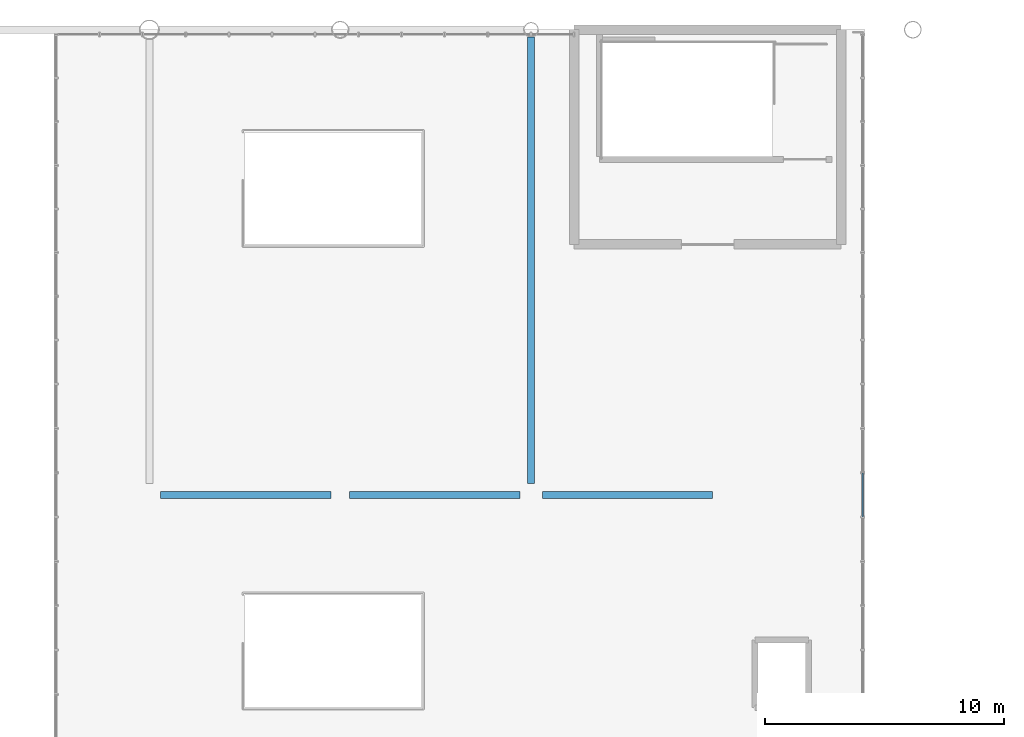
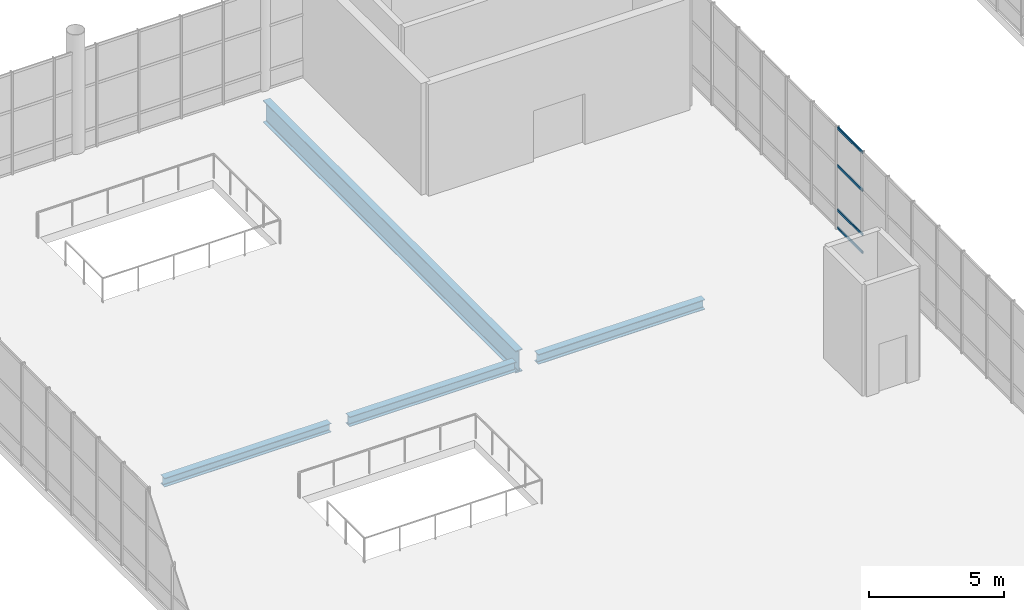
# One storey, part 106 of 176: 4 beams, 4 members, 1 element without a shape of its own.
"""IFC4 building model written with IfcOpenShell, lengths in metres."""

from ifc_helpers import new_model, si_unit, direction, frame, origin, origin_2d, place, context, subcontext, project, spatial, hollow_rectangle, i_section, extrude, material, layer, layer_set, material_profile, profile_set, type_object, element, aggregate, save


model = new_model("IFC4")

# Units and contexts
model_context = context("Model", 3, precision=1e-05, world=origin(), true_north=direction((0.0, 1.0)))
body_context = subcontext(model_context, "Body", "Model", "MODEL_VIEW")
ifc_project = project(units=[si_unit("LENGTHUNIT", "METRE"), si_unit("AREAUNIT", "SQUARE_METRE"), si_unit("VOLUMEUNIT", "CUBIC_METRE"), si_unit("PLANEANGLEUNIT", "RADIAN"), si_unit("MASSUNIT", "GRAM", prefix="KILO")], contexts=[model_context])

# Site, building, storey
site_placement = place(None, origin())
site = spatial("IfcSite", under=ifc_project, at=site_placement, CompositionType="ELEMENT")
building_placement = place(site_placement, origin())
building = spatial("IfcBuilding", under=site, at=building_placement, Name="Khorjan Park Terminus", CompositionType="ELEMENT")
storey_placement = place(building_placement, frame((0.0, 0.0, 6.0)))
storey = spatial("IfcBuildingStorey", under=building, at=storey_placement, Name="L01", CompositionType="ELEMENT", Elevation=6.0)

# Beams
ifc_material_1 = material(Name="Steel S355", Category="steel")
ifc_material_profile_1 = material_profile(ifc_material_1, i_section(OverallWidth=0.3, OverallDepth=0.44, WebThickness=0.0115, FlangeThickness=0.021, FilletRadius=0.027, at=origin_2d()), Name="HEA 450")
ifc_profile_set_1 = profile_set([ifc_material_profile_1], Name="Steel S355")
beam_type_1 = type_object("IfcBeamType", Name="BM-HEA450", PredefinedType="BEAM", material=ifc_profile_set_1)
beam_1_placement = place(storey_placement, frame((64.395, 134.5, -0.58), z_axis=(1.0, 0.0, 0.0), x_axis=(0.0, 1.0, 0.0)))
element("IfcBeam", 1, at=beam_1_placement, inside=storey, type_object=beam_type_1, Name="Primary floor girder SB-A45 (L01)", PredefinedType="BEAM", context=body_context, shape_type="SweptSolid", body=[
    extrude(i_section(OverallWidth=0.3, OverallDepth=0.44, WebThickness=0.0115, FlangeThickness=0.021, FilletRadius=0.027, at=origin_2d()), origin(), (0.0, 0.0, 1.0), 7.135),
])
ifc_material_profile_2 = material_profile(ifc_material_1, i_section(OverallWidth=0.3, OverallDepth=1.0, WebThickness=0.019, FlangeThickness=0.036, FilletRadius=0.03, at=origin_2d()), Name="HEB 1000")
ifc_profile_set_2 = profile_set([ifc_material_profile_2], Name="Steel S355")
beam_type_2 = type_object("IfcBeamType", Name="BM-HEB1000", PredefinedType="BEAM", material=ifc_profile_set_2)
beam_2_placement = place(storey_placement, frame((72.0, 134.97, -0.86), z_axis=(0.0, 1.0, 0.0), x_axis=(-1.0, 0.0, 0.0)))
element("IfcBeam", 2, at=beam_2_placement, inside=storey, type_object=beam_type_2, Name="Primary floor girder SB-B100 (L01)", PredefinedType="BEAM", context=body_context, shape_type="SweptSolid", body=[
    extrude(i_section(OverallWidth=0.3, OverallDepth=1.0, WebThickness=0.019, FlangeThickness=0.036, FilletRadius=0.03, at=origin_2d()), origin(), (0.0, 0.0, 1.0), 18.73),
])
ifc_material_profile_3 = material_profile(ifc_material_1, i_section(OverallWidth=0.3, OverallDepth=0.4, WebThickness=0.0135, FlangeThickness=0.024, FilletRadius=0.027, at=origin_2d()), Name="HEB 400")
ifc_profile_set_3 = profile_set([ifc_material_profile_3], Name="Steel S355")
beam_type_3 = type_object("IfcBeamType", Name="BM-HEB400", PredefinedType="BEAM", material=ifc_profile_set_3)
beam_3_placement = place(storey_placement, frame((56.47, 134.5, -0.56), z_axis=(1.0, 0.0, 0.0), x_axis=(0.0, 1.0, 0.0)))
element("IfcBeam", 3, at=beam_3_placement, inside=storey, type_object=beam_type_3, Name="Primary floor girder SB-B40 (L01)", PredefinedType="BEAM", context=body_context, shape_type="SweptSolid", body=[
    extrude(i_section(OverallWidth=0.3, OverallDepth=0.4, WebThickness=0.0135, FlangeThickness=0.024, FilletRadius=0.027, at=origin_2d()), origin(), (0.0, 0.0, 1.0), 7.135),
])
ifc_material_profile_4 = material_profile(ifc_material_1, i_section(OverallWidth=0.3, OverallDepth=0.45, WebThickness=0.014, FlangeThickness=0.026, FilletRadius=0.027, at=origin_2d()), Name="HEB 450")
ifc_profile_set_4 = profile_set([ifc_material_profile_4], Name="Steel S355")
beam_type_4 = type_object("IfcBeamType", Name="BM-HEB450", PredefinedType="BEAM", material=ifc_profile_set_4)
beam_4_placement = place(storey_placement, frame((72.47, 134.5, -0.585), z_axis=(1.0, 0.0, 0.0), x_axis=(0.0, 1.0, 0.0)))
element("IfcBeam", 4, at=beam_4_placement, inside=storey, type_object=beam_type_4, Name="Primary floor girder SB-B45 (L01)", PredefinedType="BEAM", context=body_context, shape_type="SweptSolid", body=[
    extrude(i_section(OverallWidth=0.3, OverallDepth=0.45, WebThickness=0.014, FlangeThickness=0.026, FilletRadius=0.027, at=origin_2d()), origin(), (0.0, 0.0, 1.0), 7.135),
])

# Curtain wall, members
ifc_material_2 = material(Name="Anodized Bronze Aluminium", Category="aluminium")
ifc_layer = layer(ifc_material_2, 0.22)
ifc_layer_set = layer_set([ifc_layer], Name="Anodized Bronze Aluminium")
curtain_wall_type = type_object("IfcCurtainWallType", Name="CW-BRG-D", PredefinedType="NOTDEFINED", material=ifc_layer_set)
curtain_wall_placement = place(storey_placement, origin())
curtain_wall = element("IfcCurtainWall", 5, at=curtain_wall_placement, inside=storey, type_object=curtain_wall_type, Name="Unitized curtain wall CW-D (CW-BRW-E-3)", PredefinedType="NOTDEFINED")
ifc_material_profile_5 = material_profile(ifc_material_2, hollow_rectangle(XDim=0.06, YDim=0.12, WallThickness=0.004, InnerFilletRadius=0.004, OuterFilletRadius=0.008, at=origin_2d()), Name="ALT 60x120x4")
ifc_profile_set_5 = profile_set([ifc_material_profile_5], Name="Anodized Bronze Aluminium")
member_type = type_object("IfcMemberType", Name="TR-ALT-120", PredefinedType="USERDEFINED", material=ifc_profile_set_5)
member_1_placement = place(storey_placement, frame((85.9, 133.5714, 0.04), z_axis=(0.0, 1.0, 0.0), x_axis=(-1.0, 0.0, 0.0)))
member_1 = element("IfcMember", 6, at=member_1_placement, type_object=member_type, Name="Curtain-wall transom TR-12 (CW-BRW-E-3-3-1)", ObjectType="TRANSOM", PredefinedType="USERDEFINED", context=body_context, shape_type="SweptSolid", body=[
    extrude(hollow_rectangle(XDim=0.06, YDim=0.12, WallThickness=0.004, InnerFilletRadius=0.004, OuterFilletRadius=0.008, at=origin_2d()), origin(), (0.0, 0.0, 1.0), 1.8572),
])
member_2_placement = place(storey_placement, frame((85.9, 133.5714, 0.85), z_axis=(0.0, 1.0, 0.0), x_axis=(-1.0, 0.0, 0.0)))
member_2 = element("IfcMember", 7, at=member_2_placement, type_object=member_type, Name="Curtain-wall transom TR-12 (CW-BRW-E-3-3-2)", ObjectType="TRANSOM", PredefinedType="USERDEFINED", context=body_context, shape_type="SweptSolid", body=[
    extrude(hollow_rectangle(XDim=0.06, YDim=0.12, WallThickness=0.004, InnerFilletRadius=0.004, OuterFilletRadius=0.008, at=origin_2d()), origin(), (0.0, 0.0, 1.0), 1.8572),
])
member_3_placement = place(storey_placement, frame((85.9, 133.5714, 2.852), z_axis=(0.0, 1.0, 0.0), x_axis=(-1.0, 0.0, 0.0)))
member_3 = element("IfcMember", 8, at=member_3_placement, type_object=member_type, Name="Curtain-wall transom TR-12 (CW-BRW-E-3-3-3)", ObjectType="TRANSOM", PredefinedType="USERDEFINED", context=body_context, shape_type="SweptSolid", body=[
    extrude(hollow_rectangle(XDim=0.06, YDim=0.12, WallThickness=0.004, InnerFilletRadius=0.004, OuterFilletRadius=0.008, at=origin_2d()), origin(), (0.0, 0.0, 1.0), 1.8572),
])
member_4_placement = place(storey_placement, frame((85.9, 133.5714, 4.56), z_axis=(0.0, 1.0, 0.0), x_axis=(-1.0, 0.0, 0.0)))
member_4 = element("IfcMember", 9, at=member_4_placement, type_object=member_type, Name="Curtain-wall transom TR-12 (CW-BRW-E-3-3-4)", ObjectType="TRANSOM", PredefinedType="USERDEFINED", context=body_context, shape_type="SweptSolid", body=[
    extrude(hollow_rectangle(XDim=0.06, YDim=0.12, WallThickness=0.004, InnerFilletRadius=0.004, OuterFilletRadius=0.008, at=origin_2d()), origin(), (0.0, 0.0, 1.0), 1.8572),
])
aggregate(curtain_wall, [member_1, member_2, member_3, member_4])

save(model, "model.ifc")
